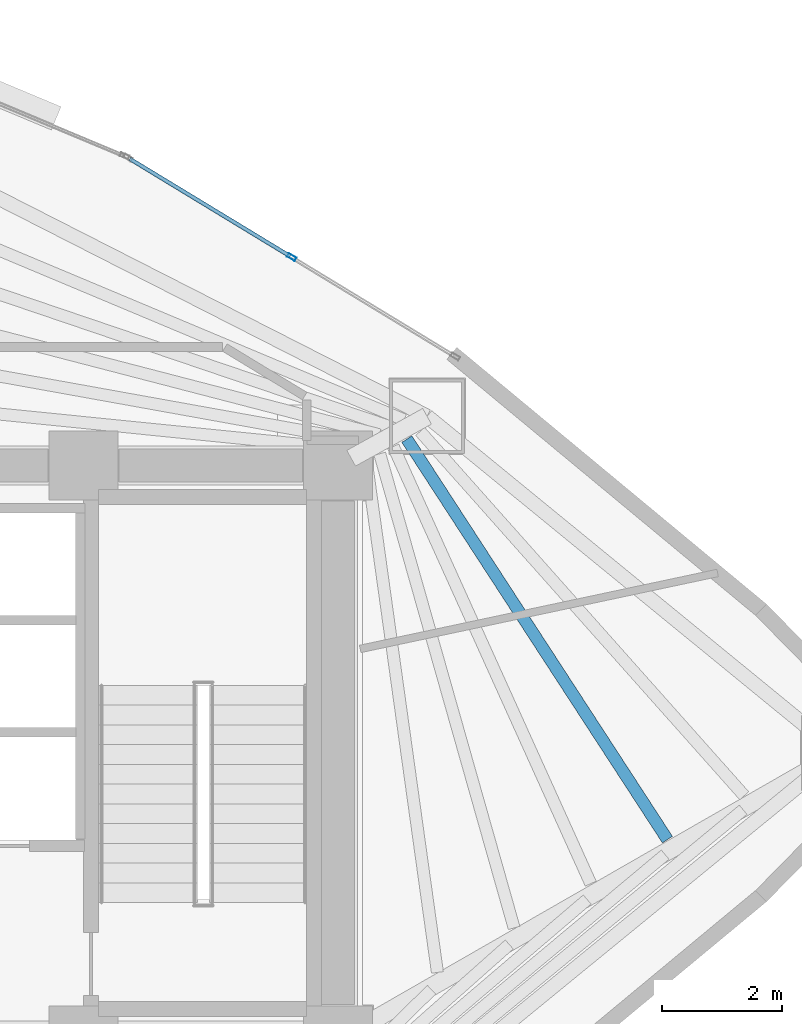
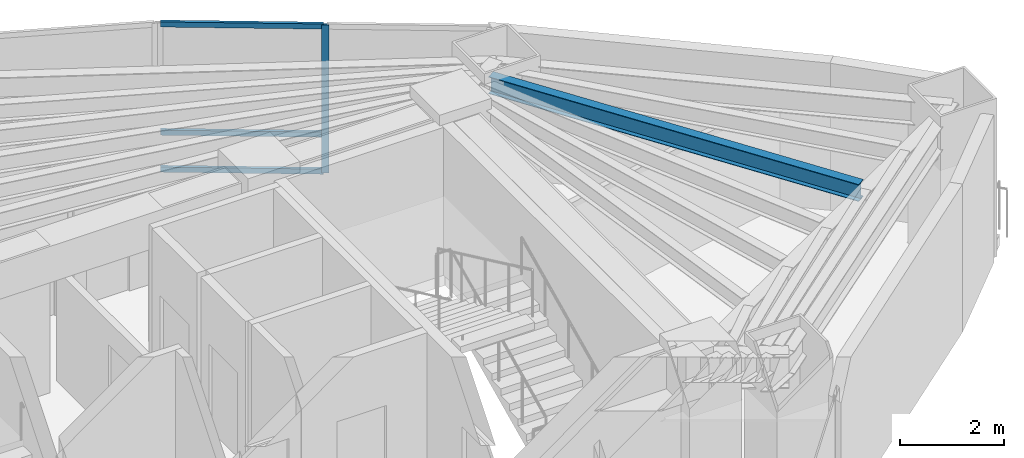
# One storey, part 11 of 19: 4 members, 1 beam, 1 element without a shape of its own.
"""IFC4 building model written with IfcOpenShell, lengths in metres."""

from ifc_helpers import new_model, si_unit, direction, frame, origin, origin_2d, place, context, subcontext, project, spatial, hollow_rectangle, i_section, extrude, material, layer, layer_set, material_profile, profile_set, type_object, element, aggregate, save


model = new_model("IFC4")

# Units and contexts
model_context = context("Model", 3, precision=1e-05, world=origin(), true_north=direction((0.0, 1.0)))
body_context = subcontext(model_context, "Body", "Model", "MODEL_VIEW")
ifc_project = project(units=[si_unit("LENGTHUNIT", "METRE"), si_unit("AREAUNIT", "SQUARE_METRE"), si_unit("VOLUMEUNIT", "CUBIC_METRE"), si_unit("PLANEANGLEUNIT", "RADIAN"), si_unit("MASSUNIT", "GRAM", prefix="KILO")], contexts=[model_context])

# Site, building, storey
site_placement = place(None, origin())
site = spatial("IfcSite", under=ifc_project, at=site_placement, CompositionType="ELEMENT")
building_placement = place(site_placement, origin())
building = spatial("IfcBuilding", under=site, at=building_placement, Name="Menara Vayukalpa", CompositionType="ELEMENT")
storey_placement = place(building_placement, frame((0.0, 0.0, 122.580078125)))
storey = spatial("IfcBuildingStorey", under=building, at=storey_placement, Name="L30", CompositionType="ELEMENT", Elevation=122.580078125)

# Beam
ifc_material_1 = material(Name="Steel S355", Category="steel")
ifc_material_profile_1 = material_profile(ifc_material_1, i_section(OverallWidth=0.199951171875, OverallDepth=0.39990234375, WebThickness=0.008056640625, FlangeThickness=0.012939453125, at=origin_2d()), Name="WF 400x200x8x13")
ifc_profile_set_1 = profile_set([ifc_material_profile_1], Name="Steel S355")
beam_type = type_object("IfcBeamType", Name="BM-SJ2", PredefinedType="JOIST", material=ifc_profile_set_1)
beam_placement = place(storey_placement, frame((38.89990234375, 20.552734375, 3.27001953125), z_axis=(-0.545359331823, 0.83820236172, 0.0), x_axis=(-0.83820236172, -0.545359331823, 0.0)))
element("IfcBeam", 1, at=beam_placement, inside=storey, type_object=beam_type, Name="L30 Secondary Floor Joist SJ01-4", PredefinedType="JOIST", context=body_context, shape_type="SweptSolid", body=[
    extrude(i_section(OverallWidth=0.199951171875, OverallDepth=0.39990234375, WebThickness=0.008056640625, FlangeThickness=0.012939453125, at=origin_2d()), origin(), (0.0, 0.0, 1.0), 7.979248046875),
])

# Curtain wall, members
ifc_material_2 = material(Name="Anodised Terracotta Aluminium Alloy 6063-T6", Category="masonry")
ifc_layer = layer(ifc_material_2, 0.14990234375)
ifc_layer_set = layer_set([ifc_layer], Name="Anodised Terracotta Aluminium Alloy 6063-T6")
curtain_wall_type = type_object("IfcCurtainWallType", Name="CW-CW3", PredefinedType="USERDEFINED", material=ifc_layer_set)
curtain_wall_placement = place(storey_placement, origin())
curtain_wall = element("IfcCurtainWall", 2, at=curtain_wall_placement, inside=storey, type_object=curtain_wall_type, Name="L30 Mid Rise Terracotta Ribbon Curtain Wall CW3 04", ObjectType="UNITISED", PredefinedType="USERDEFINED")
ifc_material_3 = material(Name="Anodised Terracotta Aluminium Alloy 6063-T6", Category="masonry")
ifc_material_profile_2 = material_profile(ifc_material_3, hollow_rectangle(XDim=0.06494140625, YDim=0.14990234375, WallThickness=0.00341796875, at=origin_2d()), Name="ALU 65x150x3.5")
ifc_profile_set_2 = profile_set([ifc_material_profile_2], Name="Anodised Terracotta Aluminium Alloy 6063-T6")
member_type_1 = type_object("IfcMemberType", Name="CWM-CW3", PredefinedType="MULLION", material=ifc_profile_set_2)
member_1_placement = place(storey_placement, frame((32.6259765625, 30.278564453125, 0.0), z_axis=(0.0, 0.0, 1.0), x_axis=(-0.519182959112, -0.854663123674, 0.0)))
member_1 = element("IfcMember", 3, at=member_1_placement, type_object=member_type_1, Name="CW3 mullion 2", PredefinedType="MULLION", context=body_context, shape_type="SweptSolid", body=[
    extrude(hollow_rectangle(XDim=0.06494140625, YDim=0.14990234375, WallThickness=0.00341796875, at=origin_2d()), origin(), (0.0, 0.0, 1.0), 3.469970703125),
])
ifc_material_4 = material(Name="Anodised Terracotta Aluminium Alloy 6063-T6", Category="masonry")
ifc_material_profile_3 = material_profile(ifc_material_4, hollow_rectangle(XDim=0.06494140625, YDim=0.1201171875, WallThickness=0.00341796875, at=origin_2d()), Name="ALU 65x120x3.5")
ifc_profile_set_3 = profile_set([ifc_material_profile_3], Name="Anodised Terracotta Aluminium Alloy 6063-T6")
member_type_2 = type_object("IfcMemberType", Name="CWT-CW3", PredefinedType="USERDEFINED", material=ifc_profile_set_3)
member_2_placement = place(storey_placement, frame((32.59814453125, 30.29541015625, 0.032470703125), z_axis=(-0.854673871166, 0.519165266506, 0.0), x_axis=(-0.519165266506, -0.854673871166, 0.0)))
member_2 = element("IfcMember", 4, at=member_2_placement, type_object=member_type_2, Name="CW3 transom 2.1", ObjectType="TRANSOM", PredefinedType="USERDEFINED", context=body_context, shape_type="SweptSolid", body=[
    extrude(hollow_rectangle(XDim=0.06494140625, YDim=0.1201171875, WallThickness=0.00341796875, at=origin_2d()), origin(), (0.0, 0.0, 1.0), 3.1318359375),
])
member_3_placement = place(storey_placement, frame((32.59814453125, 30.29541015625, 0.89990234375), z_axis=(-0.854673871166, 0.519165266506, 0.0), x_axis=(-0.519165266506, -0.854673871166, 0.0)))
member_3 = element("IfcMember", 5, at=member_3_placement, type_object=member_type_2, Name="CW3 transom 2.2", ObjectType="TRANSOM", PredefinedType="USERDEFINED", context=body_context, shape_type="SweptSolid", body=[
    extrude(hollow_rectangle(XDim=0.06494140625, YDim=0.1201171875, WallThickness=0.00341796875, at=origin_2d()), origin(), (0.0, 0.0, 1.0), 3.1318359375),
])
member_4_placement = place(storey_placement, frame((32.59814453125, 30.29541015625, 3.4375), z_axis=(-0.854673871166, 0.519165266506, 0.0), x_axis=(-0.519165266506, -0.854673871166, 0.0)))
member_4 = element("IfcMember", 6, at=member_4_placement, type_object=member_type_2, Name="CW3 transom 2.3", ObjectType="TRANSOM", PredefinedType="USERDEFINED", context=body_context, shape_type="SweptSolid", body=[
    extrude(hollow_rectangle(XDim=0.06494140625, YDim=0.1201171875, WallThickness=0.00341796875, at=origin_2d()), origin(), (0.0, 0.0, 1.0), 3.1318359375),
])
aggregate(curtain_wall, [member_1, member_2, member_3, member_4])

save(model, "model.ifc")
